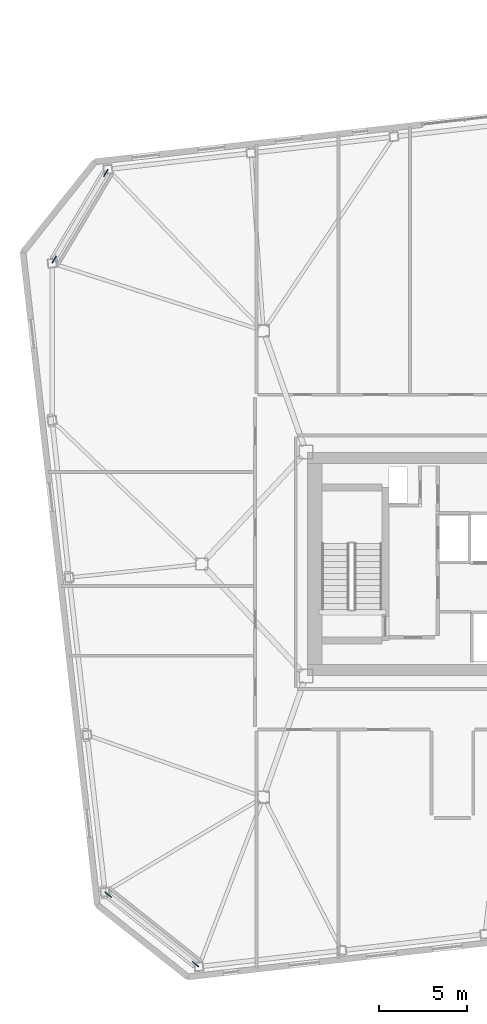
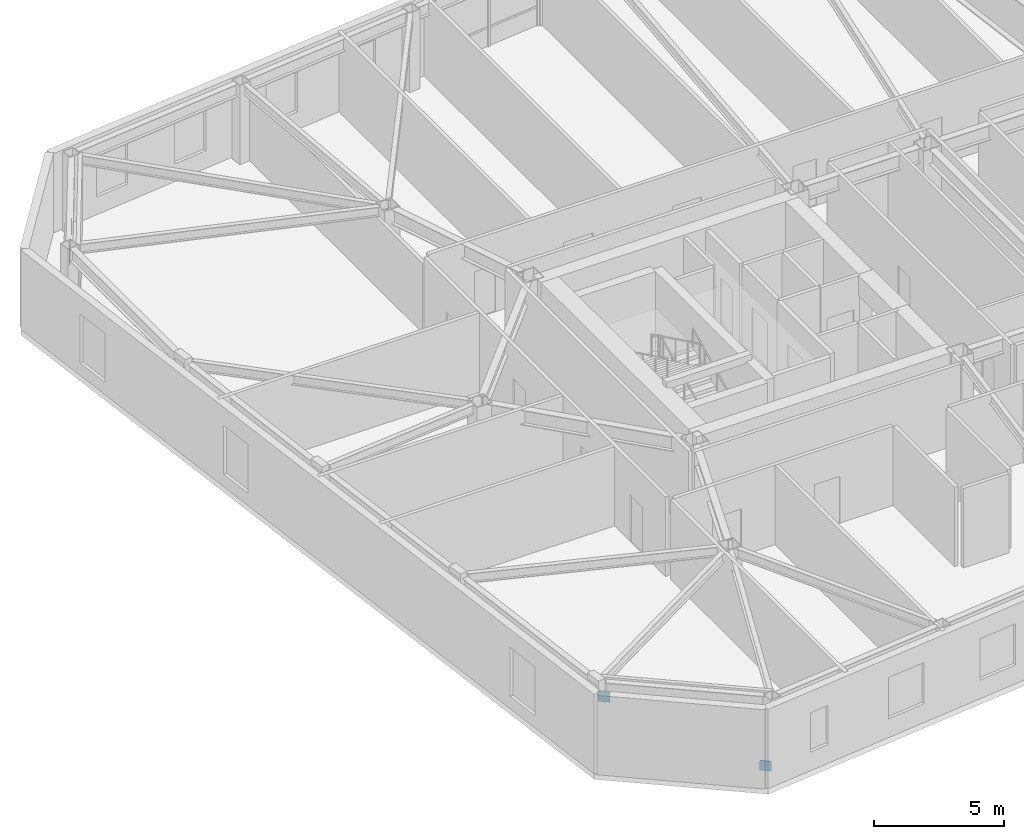
# One storey, part 17 of 19: 4 discrete accessories.
"""IFC4 building model written with IfcOpenShell, lengths in metres."""

from ifc_helpers import new_model, si_unit, direction, frame, origin, origin_2d, place, context, subcontext, project, spatial, rectangle, extrude, material, type_object, element, save


model = new_model("IFC4")

# Units and contexts
model_context = context("Model", 3, precision=1e-05, world=origin(), true_north=direction((0.0, 1.0)))
body_context = subcontext(model_context, "Body", "Model", "MODEL_VIEW")
ifc_project = project(units=[si_unit("LENGTHUNIT", "METRE"), si_unit("AREAUNIT", "SQUARE_METRE"), si_unit("VOLUMEUNIT", "CUBIC_METRE"), si_unit("PLANEANGLEUNIT", "RADIAN"), si_unit("MASSUNIT", "GRAM", prefix="KILO")], contexts=[model_context])

# Site, building, storey
site_placement = place(None, origin())
site = spatial("IfcSite", under=ifc_project, at=site_placement, CompositionType="ELEMENT")
building_placement = place(site_placement, origin())
building = spatial("IfcBuilding", under=site, at=building_placement, Name="Tavrogorsk Clinical Tower", CompositionType="ELEMENT")
storey_placement = place(building_placement, frame((0.0, 0.0, 243.0)))
storey = spatial("IfcBuildingStorey", under=building, at=storey_placement, Name="L56", CompositionType="ELEMENT", Elevation=243.0)

# Discrete accessories
ifc_material = material(Name="Structural steel S440", Category="steel")
discrete_accessory_type = type_object("IfcDiscreteAccessoryType", Name="GussetPlateBracket_25", PredefinedType="BRACKET", material=ifc_material)
for number, where, z_axis, x_axis, name in (
    (1, (-33.428955078125, 22.143310546875, 0.17626953125), (0.0, 0.0, 1.0), (-0.511443073004, -0.859317160934, 0.0), "L56 Brace Gusset Plate EXOCRN-L56-3-A"),
    (2, (-36.349853515625, 17.23486328125, 2.75390625), (0.0, 0.0, 1.0), (-0.511443073004, -0.859317160934, 0.0), "L56 Brace Gusset Plate EXOCRN-L56-3-B"),
    (3, (-28.3515625, -22.654052734375, 0.168212890625), (0.0, 0.0, 1.0), (-0.782608156852, 0.622514636638, 0.0), "L56 Brace Gusset Plate EXOCRN-L56-4-A"),
    (4, (-33.29052734375, -18.725341796875, 2.761962890625), (0.0, 0.0, 1.0), (-0.782608156852, 0.622514636638, 0.0), "L56 Brace Gusset Plate EXOCRN-L56-4-B"),
):
    element("IfcDiscreteAccessory", number, at=place(storey_placement, frame(where, z_axis=z_axis, x_axis=x_axis)), inside=storey, type_object=discrete_accessory_type, Name=name, PredefinedType="BRACKET", context=body_context, shape_type="SweptSolid", body=[
        extrude(rectangle(XDim=0.4599609375, YDim=0.0400390625, at=origin_2d()), origin(), (0.0, 0.0, 1.0), 0.4599609375),
    ])

save(model, "model.ifc")
